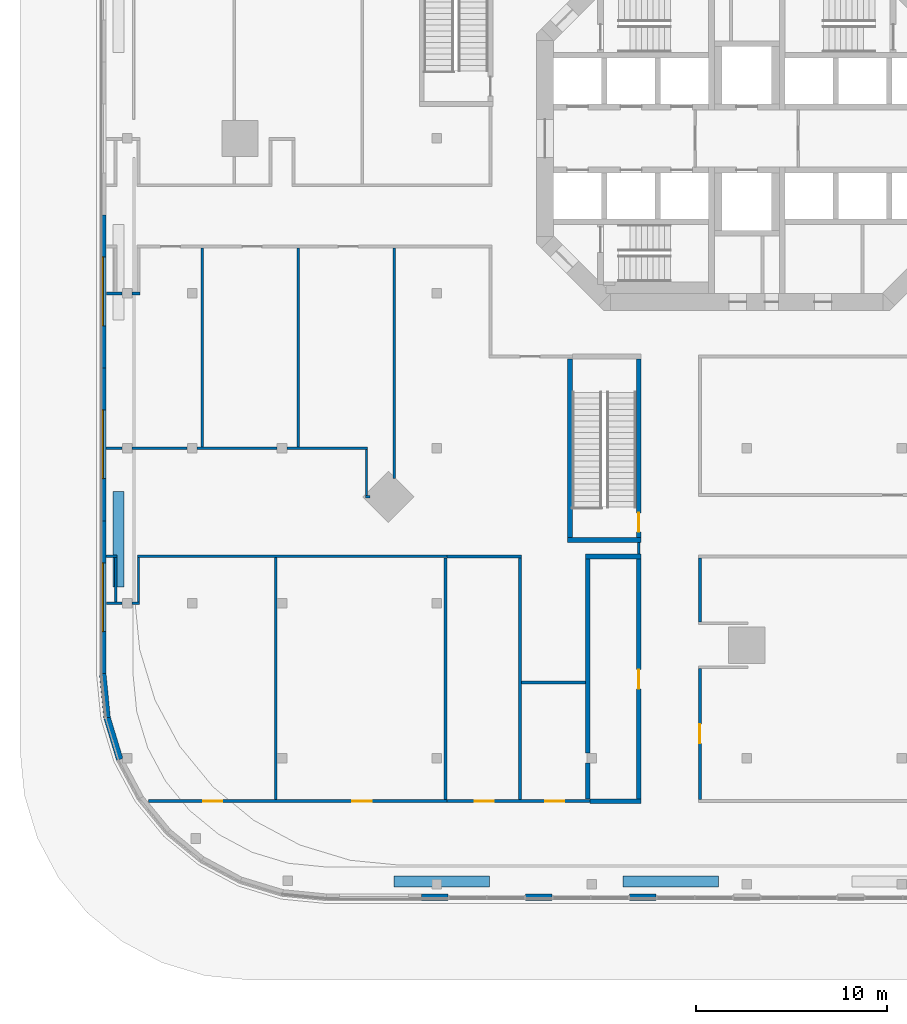
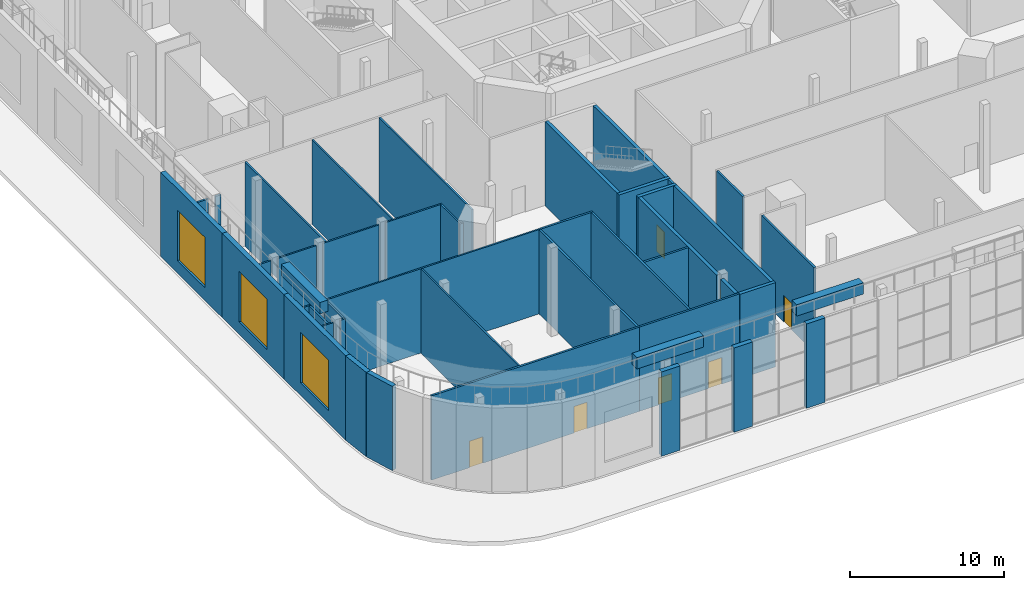
# One storey, part 6 of 21: 46 walls, 7 doors, 3 windows, 10 openings.
"""IFC4 building model written with IfcOpenShell, lengths in metres."""

from ifc_helpers import new_model, si_unit, direction, frame, frame_2d, origin, place, context, subcontext, project, spatial, rectangle, extrude, material, layer, layer_set, type_object, element, fill, save


model = new_model("IFC4")

# Units and contexts
model_context = context("Model", 3, precision=1e-05, world=origin(), true_north=direction((0.0, 1.0)))
body_context = subcontext(model_context, "Body", "Model", "MODEL_VIEW")
ifc_project = project(units=[si_unit("LENGTHUNIT", "METRE"), si_unit("AREAUNIT", "SQUARE_METRE"), si_unit("VOLUMEUNIT", "CUBIC_METRE"), si_unit("PLANEANGLEUNIT", "RADIAN"), si_unit("MASSUNIT", "GRAM", prefix="KILO")], contexts=[model_context])

# Site, building, storey
site_placement = place(None, origin())
site = spatial("IfcSite", under=ifc_project, at=site_placement, CompositionType="ELEMENT")
building_placement = place(site_placement, origin())
building = spatial("IfcBuilding", under=site, at=building_placement, Name="Torre Triforio", CompositionType="ELEMENT")
storey_placement = place(building_placement, frame((0.0, 0.0, 6.0)))
storey = spatial("IfcBuildingStorey", under=building, at=storey_placement, Name="L01", CompositionType="ELEMENT", Elevation=6.0)

# Walls
ifc_material_1 = material(Name="Plasterboard on metal studs")
ifc_layer_1 = layer(ifc_material_1, 0.14990234375)
ifc_layer_set_1 = layer_set([ifc_layer_1], Name="Plasterboard on metal studs")
wall_type_1 = type_object("IfcWallType", Name="Corridor wall 150 EI 60", PredefinedType="PARTITIONING", material=ifc_layer_set_1)
wall_1_placement = place(storey_placement, frame((-33.489990234375, -8.10009765625, 0.0), z_axis=(0.0, 0.0, 1.0), x_axis=(1.0, 0.0, 0.0)))
element("IfcWall", 1, at=wall_1_placement, inside=storey, type_object=wall_type_1, Name="Corridor wall L01 048", PredefinedType="PARTITIONING", context=body_context, shape_type="SweptSolid", body=[
    extrude(rectangle(XDim=0.830078125, YDim=0.14990234375, at=frame_2d((0.4150390625, 0.0))), origin(), (0.0, 0.0, 1.0), 6.679931640625),
])
wall_2_placement = place(storey_placement, frame((-32.139892578125, -8.10009765625, 0.0), z_axis=(0.0, 0.0, 1.0), x_axis=(1.0, 0.0, 0.0)))
element("IfcWall", 2, at=wall_2_placement, inside=storey, type_object=wall_type_1, Name="Corridor wall L01 049", PredefinedType="PARTITIONING", context=body_context, shape_type="SweptSolid", body=[
    extrude(rectangle(XDim=0.414794921875, YDim=0.14990234375, at=frame_2d((0.20751953125, 0.0))), origin(), (0.0, 0.0, 1.0), 6.679931640625),
])
wall_3_placement = place(storey_placement, frame((-5.64990234375, -21.72509765625, 0.0), z_axis=(0.0, 0.0, 1.0), x_axis=(0.0, 1.0, 0.0)))
element("IfcWall", 3, at=wall_3_placement, inside=storey, type_object=wall_type_1, Name="Corridor wall L01 063", PredefinedType="PARTITIONING", context=body_context, shape_type="SweptSolid", body=[
    extrude(rectangle(XDim=0.60009765625, YDim=0.14990234375, at=frame_2d((0.300048828125, 0.0))), origin(), (0.0, 0.0, 1.0), 6.679931640625),
])

# Wall, opening, door
wall_4_placement = place(storey_placement, frame((-2.449951171875, -34.574951171875, 0.0), z_axis=(0.0, 0.0, 1.0), x_axis=(0.0, 1.0, 0.0)))
wall_4 = element("IfcWall", 4, at=wall_4_placement, inside=storey, type_object=wall_type_1, Name="Corridor wall L01 176", PredefinedType="PARTITIONING", context=body_context, shape_type="SweptSolid", body=[
    extrude(rectangle(XDim=6.849853515625, YDim=0.14990234375, at=frame_2d((3.4248046875, 0.0))), origin(), (0.0, 0.0, 1.0), 6.679931640625),
])
opening_1_placement = place(wall_4_placement, frame((2.949951171875, 0.0, 0.0)))
opening_1 = element("IfcOpeningElement", 5, at=opening_1_placement, cuts=wall_4, Name="Opening P1-36", PredefinedType="OPENING", context=body_context, shape_type="SweptSolid", body=[
    extrude(rectangle(XDim=1.0, YDim=2.10009765625, at=frame_2d((0.5, 1.050048828125))), frame((0.0, 0.0849609375, 0.0), z_axis=(0.0, -1.0, 0.0), x_axis=(1.0, 0.0, 0.0)), (0.0, 0.0, 1.0), 0.169921875),
])
ifc_material_2 = material(Name="Timber door leaf", Category="wood")
door_type_1 = type_object("IfcDoorType", Name="Single door 1000 x 2100 EI 30", OperationType="NOTDEFINED", PredefinedType="DOOR", material=ifc_material_2)
door_1_placement = place(opening_1_placement, origin())
door_1 = element("IfcDoor", 6, at=door_1_placement, inside=storey, type_object=door_type_1, Name="Door P1-36", OperationType="SINGLE_SWING_LEFT", OverallHeight=2.10009765625, OverallWidth=1.0, PredefinedType="DOOR", context=body_context, shape_type="SweptSolid", body=[
    extrude(rectangle(XDim=1.0, YDim=2.10009765625, at=frame_2d((0.5, 1.050048828125))), frame((0.0, 0.02490234375, 0.0), z_axis=(0.0, -1.0, 0.0), x_axis=(1.0, 0.0, 0.0)), (0.0, 0.0, 1.0), 0.050048828125),
])
fill(opening_1, door_1)

# Wall
wall_5_placement = place(storey_placement, frame((-2.449951171875, -25.27490234375, 0.0), z_axis=(0.0, 0.0, 1.0), x_axis=(0.0, 1.0, 0.0)))
element("IfcWall", 7, at=wall_5_placement, inside=storey, type_object=wall_type_1, Name="Corridor wall L01 177", PredefinedType="PARTITIONING", context=body_context, shape_type="SweptSolid", body=[
    extrude(rectangle(XDim=3.349853515625, YDim=0.14990234375, at=frame_2d((1.6748046875, 0.0))), origin(), (0.0, 0.0, 1.0), 6.679931640625),
])

# Wall, openings, doors
wall_6_placement = place(storey_placement, frame((-31.279541015625, -34.64990234375, 0.0), z_axis=(0.0, 0.0, 1.0), x_axis=(1.0, 0.0, 0.0)))
wall_6 = element("IfcWall", 8, at=wall_6_placement, inside=storey, type_object=wall_type_1, Name="Corridor wall L01 226", PredefinedType="PARTITIONING", context=body_context, shape_type="SweptSolid", body=[
    extrude(rectangle(XDim=15.593505859375, YDim=0.14990234375, at=frame_2d((7.796875, 0.0))), origin(), (0.0, 0.0, 1.0), 6.679931640625),
])
opening_2_placement = place(wall_6_placement, frame((2.85009765625, 0.0, 0.0)))
opening_2 = element("IfcOpeningElement", 9, at=opening_2_placement, cuts=wall_6, Name="Opening P1-48", PredefinedType="OPENING", context=body_context, shape_type="SweptSolid", body=[
    extrude(rectangle(XDim=1.0, YDim=2.10009765625, at=frame_2d((0.5, 1.050048828125))), frame((0.0, 0.0849609375, 0.0), z_axis=(0.0, -1.0, 0.0), x_axis=(1.0, 0.0, 0.0)), (0.0, 0.0, 1.0), 0.169921875),
])
opening_3_placement = place(wall_6_placement, frame((10.658935546875, 0.0, 0.0)))
opening_3 = element("IfcOpeningElement", 10, at=opening_3_placement, cuts=wall_6, Name="Opening P1-49", PredefinedType="OPENING", context=body_context, shape_type="SweptSolid", body=[
    extrude(rectangle(XDim=1.0, YDim=2.10009765625, at=frame_2d((0.5, 1.050048828125))), frame((0.0, 0.0849609375, 0.0), z_axis=(0.0, -1.0, 0.0), x_axis=(1.0, 0.0, 0.0)), (0.0, 0.0, 1.0), 0.169921875),
])
door_2_placement = place(opening_2_placement, origin())
door_2 = element("IfcDoor", 11, at=door_2_placement, inside=storey, type_object=door_type_1, Name="Door P1-48", OperationType="SINGLE_SWING_LEFT", OverallHeight=2.10009765625, OverallWidth=1.0, PredefinedType="DOOR", context=body_context, shape_type="SweptSolid", body=[
    extrude(rectangle(XDim=1.0, YDim=2.10009765625, at=frame_2d((0.5, 1.050048828125))), frame((0.0, 0.02490234375, 0.0), z_axis=(0.0, -1.0, 0.0), x_axis=(1.0, 0.0, 0.0)), (0.0, 0.0, 1.0), 0.050048828125),
])
fill(opening_2, door_2)
door_3_placement = place(opening_3_placement, origin())
door_3 = element("IfcDoor", 12, at=door_3_placement, inside=storey, type_object=door_type_1, Name="Door P1-49", OperationType="SINGLE_SWING_LEFT", OverallHeight=2.10009765625, OverallWidth=1.0, PredefinedType="DOOR", context=body_context, shape_type="SweptSolid", body=[
    extrude(rectangle(XDim=1.0, YDim=2.10009765625, at=frame_2d((0.5, 1.050048828125))), frame((0.0, 0.02490234375, 0.0), z_axis=(0.0, -1.0, 0.0), x_axis=(1.0, 0.0, 0.0)), (0.0, 0.0, 1.0), 0.050048828125),
])
fill(opening_3, door_3)

# Walls
ifc_layer_2 = layer(ifc_material_1, 0.1201171875)
ifc_layer_set_2 = layer_set([ifc_layer_2], Name="Plasterboard on metal studs")
wall_type_2 = type_object("IfcWallType", Name="Partition 120", PredefinedType="PARTITIONING", material=ifc_layer_set_2)
wall_7_placement = place(storey_placement, frame((-28.47509765625, -16.139892578125, 0.0), z_axis=(0.0, 0.0, 1.0), x_axis=(0.0, 1.0, 0.0)))
element("IfcWall", 13, at=wall_7_placement, inside=storey, type_object=wall_type_2, Name="Partition L01 044", PredefinedType="PARTITIONING", context=body_context, shape_type="SweptSolid", body=[
    extrude(rectangle(XDim=10.414794921875, YDim=0.1201171875, at=frame_2d((5.20751953125, 0.0))), origin(), (0.0, 0.0, 1.0), 6.679931640625),
])
wall_8_placement = place(storey_placement, frame((-33.5, -16.199951171875, 0.0), z_axis=(0.0, 0.0, 1.0), x_axis=(1.0, 0.0, 0.0)))
element("IfcWall", 14, at=wall_8_placement, inside=storey, type_object=wall_type_2, Name="Partition L01 045", PredefinedType="PARTITIONING", context=body_context, shape_type="SweptSolid", body=[
    extrude(rectangle(XDim=0.840087890625, YDim=0.1201171875, at=frame_2d((0.419921875, 0.0))), origin(), (0.0, 0.0, 1.0), 6.679931640625),
])
wall_9_placement = place(storey_placement, frame((-32.139892578125, -16.199951171875, 0.0), z_axis=(0.0, 0.0, 1.0), x_axis=(1.0, 0.0, 0.0)))
element("IfcWall", 15, at=wall_9_placement, inside=storey, type_object=wall_type_2, Name="Partition L01 046", PredefinedType="PARTITIONING", context=body_context, shape_type="SweptSolid", body=[
    extrude(rectangle(XDim=2.8798828125, YDim=0.1201171875, at=frame_2d((1.43994140625, 0.0))), origin(), (0.0, 0.0, 1.0), 6.679931640625),
])
wall_10_placement = place(storey_placement, frame((-28.739990234375, -16.199951171875, 0.0), z_axis=(0.0, 0.0, 1.0), x_axis=(1.0, 0.0, 0.0)))
element("IfcWall", 16, at=wall_10_placement, inside=storey, type_object=wall_type_2, Name="Partition L01 047", PredefinedType="PARTITIONING", context=body_context, shape_type="SweptSolid", body=[
    extrude(rectangle(XDim=4.179931640625, YDim=0.1201171875, at=frame_2d((2.08984375, 0.0))), origin(), (0.0, 0.0, 1.0), 6.679931640625),
])
wall_11_placement = place(storey_placement, frame((-23.449951171875, -16.139892578125, 0.0), z_axis=(0.0, 0.0, 1.0), x_axis=(0.0, 1.0, 0.0)))
element("IfcWall", 17, at=wall_11_placement, inside=storey, type_object=wall_type_2, Name="Partition L01 054", PredefinedType="PARTITIONING", context=body_context, shape_type="SweptSolid", body=[
    extrude(rectangle(XDim=10.414794921875, YDim=0.1201171875, at=frame_2d((5.20751953125, 0.0))), origin(), (0.0, 0.0, 1.0), 6.679931640625),
])
wall_12_placement = place(storey_placement, frame((-24.0400390625, -16.199951171875, 0.0), z_axis=(0.0, 0.0, 1.0), x_axis=(1.0, 0.0, 0.0)))
element("IfcWall", 18, at=wall_12_placement, inside=storey, type_object=wall_type_2, Name="Partition L01 055", PredefinedType="PARTITIONING", context=body_context, shape_type="SweptSolid", body=[
    extrude(rectangle(XDim=4.211669921875, YDim=0.1201171875, at=frame_2d((2.10595703125, 0.0))), origin(), (0.0, 0.0, 1.0), 6.679931640625),
])
wall_13_placement = place(storey_placement, frame((-19.9482421875, -18.73828125, 0.0), z_axis=(0.0, 0.0, 1.0), x_axis=(1.0, 0.0, 0.0)))
element("IfcWall", 19, at=wall_13_placement, inside=storey, type_object=wall_type_2, Name="Partition L01 056", PredefinedType="PARTITIONING", context=body_context, shape_type="SweptSolid", body=[
    extrude(rectangle(XDim=0.25, YDim=0.1201171875, at=frame_2d((0.125, 0.0))), origin(), (0.0, 0.0, 1.0), 6.679931640625),
])
wall_14_placement = place(storey_placement, frame((-19.88818359375, -18.67822265625, 0.0), z_axis=(0.0, 0.0, 1.0), x_axis=(0.0, 1.0, 0.0)))
element("IfcWall", 20, at=wall_14_placement, inside=storey, type_object=wall_type_2, Name="Partition L01 057", PredefinedType="PARTITIONING", context=body_context, shape_type="SweptSolid", body=[
    extrude(rectangle(XDim=2.418212890625, YDim=0.1201171875, at=frame_2d((1.208984375, 0.0))), origin(), (0.0, 0.0, 1.0), 6.679931640625),
])
wall_15_placement = place(storey_placement, frame((-18.425048828125, -17.7783203125, 0.0), z_axis=(0.0, 0.0, 1.0), x_axis=(0.0, 1.0, 0.0)))
element("IfcWall", 21, at=wall_15_placement, inside=storey, type_object=wall_type_2, Name="Partition L01 058", PredefinedType="PARTITIONING", context=body_context, shape_type="SweptSolid", body=[
    extrude(rectangle(XDim=12.05322265625, YDim=0.1201171875, at=frame_2d((6.026611328125, 0.0))), origin(), (0.0, 0.0, 1.0), 6.679931640625),
])
wall_16_placement = place(storey_placement, frame((-33.489990234375, -24.300048828125, 0.0), z_axis=(0.0, 0.0, 1.0), x_axis=(1.0, 0.0, 0.0)))
element("IfcWall", 22, at=wall_16_placement, inside=storey, type_object=wall_type_2, Name="Partition L01 067", PredefinedType="PARTITIONING", context=body_context, shape_type="SweptSolid", body=[
    extrude(rectangle(XDim=0.830078125, YDim=0.1201171875, at=frame_2d((0.4150390625, 0.0))), origin(), (0.0, 0.0, 1.0), 6.679931640625),
])
wall_17_placement = place(storey_placement, frame((-32.139892578125, -24.300048828125, 0.0), z_axis=(0.0, 0.0, 1.0), x_axis=(1.0, 0.0, 0.0)))
element("IfcWall", 23, at=wall_17_placement, inside=storey, type_object=wall_type_2, Name="Partition L01 068", PredefinedType="PARTITIONING", context=body_context, shape_type="SweptSolid", body=[
    extrude(rectangle(XDim=0.39990234375, YDim=0.1201171875, at=frame_2d((0.199951171875, 0.0))), origin(), (0.0, 0.0, 1.0), 6.679931640625),
])
wall_18_placement = place(storey_placement, frame((-33.5, -21.85009765625, 0.0), z_axis=(0.0, 0.0, 1.0), x_axis=(1.0, 0.0, 0.0)))
element("IfcWall", 24, at=wall_18_placement, inside=storey, type_object=wall_type_2, Name="Partition L01 069", PredefinedType="PARTITIONING", context=body_context, shape_type="SweptSolid", body=[
    extrude(rectangle(XDim=0.56005859375, YDim=0.1201171875, at=frame_2d((0.280029296875, 0.0))), origin(), (0.0, 0.0, 1.0), 6.679931640625),
])
wall_19_placement = place(storey_placement, frame((-31.860107421875, -21.85009765625, 0.0), z_axis=(0.0, 0.0, 1.0), x_axis=(1.0, 0.0, 0.0)))
element("IfcWall", 25, at=wall_19_placement, inside=storey, type_object=wall_type_2, Name="Partition L01 070", PredefinedType="PARTITIONING", context=body_context, shape_type="SweptSolid", body=[
    extrude(rectangle(XDim=16.174072265625, YDim=0.1201171875, at=frame_2d((8.0869140625, 0.0))), origin(), (0.0, 0.0, 1.0), 6.679931640625),
])
for number, where, z_axis, x_axis, name in (
    (26, (-33.0, -24.239990234375, 0.0), (0.0, 0.0, 1.0), (0.0, 1.0, 0.0), "Partition L01 071"),
    (27, (-31.800048828125, -24.239990234375, 0.0), (0.0, 0.0, 1.0), (0.0, 1.0, 0.0), "Partition L01 072"),
):
    element("IfcWall", number, at=place(storey_placement, frame(where, z_axis=z_axis, x_axis=x_axis)), inside=storey, type_object=wall_type_2, Name=name, PredefinedType="PARTITIONING", context=body_context, shape_type="SweptSolid", body=[
        extrude(rectangle(XDim=2.330078125, YDim=0.1201171875, at=frame_2d((1.1650390625, 0.0))), origin(), (0.0, 0.0, 1.0), 6.679931640625),
    ])
wall_20_placement = place(storey_placement, frame((-24.630615234375, -34.574951171875, 0.0), z_axis=(0.0, 0.0, 1.0), x_axis=(0.0, 1.0, 0.0)))
element("IfcWall", 28, at=wall_20_placement, inside=storey, type_object=wall_type_2, Name="Partition L01 267", PredefinedType="PARTITIONING", context=body_context, shape_type="SweptSolid", body=[
    extrude(rectangle(XDim=12.6650390625, YDim=0.1201171875, at=frame_2d((6.33251953125, 0.0))), origin(), (0.0, 0.0, 1.0), 6.679931640625),
])
ifc_material_3 = material(Name="Masonry block", Category="masonry")
ifc_layer_3 = layer(ifc_material_3, 0.25)
ifc_layer_set_3 = layer_set([ifc_layer_3], Name="Masonry block")
wall_type_3 = type_object("IfcWallType", Name="Plant room wall 250 EI 120", PredefinedType="PARTITIONING", material=ifc_layer_set_3)
wall_21_placement = place(storey_placement, frame((-8.435791015625, -21.85009765625, 0.0), z_axis=(0.0, 0.0, 1.0), x_axis=(1.0, 0.0, 0.0)))
element("IfcWall", 29, at=wall_21_placement, inside=storey, type_object=wall_type_3, Name="Plant room wall L01 065", PredefinedType="PARTITIONING", context=body_context, shape_type="SweptSolid", body=[
    extrude(rectangle(XDim=2.910888671875, YDim=0.25, at=frame_2d((1.45556640625, 0.0))), origin(), (0.0, 0.0, 1.0), 6.679931640625),
])

# Wall, opening, door
wall_22_placement = place(storey_placement, frame((-5.64990234375, -34.52490234375, 0.0), z_axis=(0.0, 0.0, 1.0), x_axis=(0.0, 1.0, 0.0)))
wall_22 = element("IfcWall", 30, at=wall_22_placement, inside=storey, type_object=wall_type_3, Name="Plant room wall L01 223", PredefinedType="PARTITIONING", context=body_context, shape_type="SweptSolid", body=[
    extrude(rectangle(XDim=12.5498046875, YDim=0.25, at=frame_2d((6.27490234375, 0.0))), origin(), (0.0, 0.0, 1.0), 6.679931640625),
])
opening_4_placement = place(wall_22_placement, frame((5.75, 0.0, 0.0)))
opening_4 = element("IfcOpeningElement", 31, at=opening_4_placement, cuts=wall_22, Name="Opening P1-52", PredefinedType="OPENING", context=body_context, shape_type="SweptSolid", body=[
    extrude(rectangle(XDim=1.0, YDim=2.10009765625, at=frame_2d((0.5, 1.050048828125))), frame((0.0, 0.135009765625, 0.0), z_axis=(0.0, -1.0, 0.0), x_axis=(1.0, 0.0, 0.0)), (0.0, 0.0, 1.0), 0.27001953125),
])
ifc_material_4 = material(Name="Hollow metal fire door leaf")
door_type_2 = type_object("IfcDoorType", Name="Fire door 1000 x 2100 EI 60", OperationType="NOTDEFINED", PredefinedType="DOOR", material=ifc_material_4)
door_4_placement = place(opening_4_placement, origin())
door_4 = element("IfcDoor", 32, at=door_4_placement, inside=storey, type_object=door_type_2, Name="Door P1-52", OperationType="SINGLE_SWING_LEFT", OverallHeight=2.10009765625, OverallWidth=1.0, PredefinedType="DOOR", context=body_context, shape_type="SweptSolid", body=[
    extrude(rectangle(XDim=1.0, YDim=2.10009765625, at=frame_2d((0.5, 1.050048828125))), frame((0.0, 0.02490234375, 0.0), z_axis=(0.0, -1.0, 0.0), x_axis=(1.0, 0.0, 0.0)), (0.0, 0.0, 1.0), 0.050048828125),
])
fill(opening_4, door_4)

# Walls
wall_23_placement = place(storey_placement, frame((-8.185791015625, -34.64990234375, 0.0), z_axis=(0.0, 0.0, 1.0), x_axis=(1.0, 0.0, 0.0)))
element("IfcWall", 33, at=wall_23_placement, inside=storey, type_object=wall_type_3, Name="Plant room wall L01 224", PredefinedType="PARTITIONING", context=body_context, shape_type="SweptSolid", body=[
    extrude(rectangle(XDim=2.660888671875, YDim=0.25, at=frame_2d((1.33056640625, 0.0))), origin(), (0.0, 0.0, 1.0), 6.679931640625),
])
wall_24_placement = place(storey_placement, frame((-8.310791015625, -34.52490234375, 0.0), z_axis=(0.0, 0.0, 1.0), x_axis=(0.0, 1.0, 0.0)))
element("IfcWall", 34, at=wall_24_placement, inside=storey, type_object=wall_type_3, Name="Plant room wall L01 230", PredefinedType="PARTITIONING", context=body_context, shape_type="SweptSolid", body=[
    extrude(rectangle(XDim=1.864990234375, YDim=0.25, at=frame_2d((0.9326171875, 0.0))), origin(), (0.0, 0.0, 1.0), 6.679931640625),
])
wall_25_placement = place(storey_placement, frame((-8.310791015625, -32.139892578125, 0.0), z_axis=(0.0, 0.0, 1.0), x_axis=(0.0, 1.0, 0.0)))
element("IfcWall", 35, at=wall_25_placement, inside=storey, type_object=wall_type_3, Name="Plant room wall L01 231", PredefinedType="PARTITIONING", context=body_context, shape_type="SweptSolid", body=[
    extrude(rectangle(XDim=10.164794921875, YDim=0.25, at=frame_2d((5.08251953125, 0.0))), origin(), (0.0, 0.0, 1.0), 6.679931640625),
])
ifc_material_5 = material(Name="Concrete C40", Category="concrete")
ifc_layer_4 = layer(ifc_material_5, 0.25)
ifc_layer_set_4 = layer_set([ifc_layer_4], Name="Concrete C40")
wall_type_4 = type_object("IfcWallType", Name="Stair enclosure wall 250 EI 120", PredefinedType="STANDARD", material=ifc_layer_set_4)
wall_26_placement = place(storey_placement, frame((-9.375, -21.0, 0.0), z_axis=(0.0, 0.0, 1.0), x_axis=(1.0, 0.0, 0.0)))
element("IfcWall", 36, at=wall_26_placement, inside=storey, type_object=wall_type_4, Name="Stair enclosure wall L01 059", PredefinedType="STANDARD", context=body_context, shape_type="SweptSolid", body=[
    extrude(rectangle(XDim=3.85009765625, YDim=0.25, at=frame_2d((1.925048828125, 0.0))), origin(), (0.0, 0.0, 1.0), 6.679931640625),
])
wall_27_placement = place(storey_placement, frame((-9.25, -20.875, 0.0), z_axis=(0.0, 0.0, 1.0), x_axis=(0.0, 1.0, 0.0)))
element("IfcWall", 37, at=wall_27_placement, inside=storey, type_object=wall_type_4, Name="Stair enclosure wall L01 060", PredefinedType="STANDARD", context=body_context, shape_type="SweptSolid", body=[
    extrude(rectangle(XDim=9.35009765625, YDim=0.25, at=frame_2d((4.675048828125, 0.0))), origin(), (0.0, 0.0, 1.0), 6.679931640625),
])

# Wall, opening, door
wall_28_placement = place(storey_placement, frame((-5.64990234375, -20.875, 0.0), z_axis=(0.0, 0.0, 1.0), x_axis=(0.0, 1.0, 0.0)))
wall_28 = element("IfcWall", 38, at=wall_28_placement, inside=storey, type_object=wall_type_4, Name="Stair enclosure wall L01 200", PredefinedType="STANDARD", context=body_context, shape_type="SweptSolid", body=[
    extrude(rectangle(XDim=9.35009765625, YDim=0.25, at=frame_2d((4.675048828125, 0.0))), origin(), (0.0, 0.0, 1.0), 6.679931640625),
])
opening_5_placement = place(wall_28_placement, frame((0.300048828125, 0.0, 0.0)))
opening_5 = element("IfcOpeningElement", 39, at=opening_5_placement, cuts=wall_28, Name="Opening P1-03", PredefinedType="OPENING", context=body_context, shape_type="SweptSolid", body=[
    extrude(rectangle(XDim=1.0, YDim=2.10009765625, at=frame_2d((0.5, 1.050048828125))), frame((0.0, 0.135009765625, 0.0), z_axis=(0.0, -1.0, 0.0), x_axis=(1.0, 0.0, 0.0)), (0.0, 0.0, 1.0), 0.27001953125),
])
door_type_3 = type_object("IfcDoorType", Name="Stair door 1000 x 2100 EI 90", OperationType="NOTDEFINED", PredefinedType="DOOR", material=ifc_material_4)
door_5_placement = place(opening_5_placement, origin())
door_5 = element("IfcDoor", 40, at=door_5_placement, inside=storey, type_object=door_type_3, Name="Door P1-03", OperationType="SINGLE_SWING_LEFT", OverallHeight=2.10009765625, OverallWidth=1.0, PredefinedType="DOOR", context=body_context, shape_type="SweptSolid", body=[
    extrude(rectangle(XDim=1.0, YDim=2.10009765625, at=frame_2d((0.5, 1.050048828125))), frame((0.0, 0.02490234375, 0.0), z_axis=(0.0, -1.0, 0.0), x_axis=(1.0, 0.0, 0.0)), (0.0, 0.0, 1.0), 0.050048828125),
])
fill(opening_5, door_5)

# Wall, opening, window
ifc_material_6 = material(Name="Limestone cladding", Category="masonry")
ifc_layer_5 = layer(ifc_material_6, 0.10009765625)
ifc_layer_6 = layer(ifc_material_5, 0.25)
ifc_layer_set_5 = layer_set([ifc_layer_5, ifc_layer_6], Name="Limestone cladding / Concrete C40")
wall_type_5 = type_object("IfcWallType", Name="Stone-clad podium wall 350", PredefinedType="STANDARD", material=ifc_layer_set_5)
wall_29_placement = place(storey_placement, frame((-33.675048828125, -3.997802734375, 0.0), z_axis=(0.0, 0.0, 1.0), x_axis=(0.0, -1.0, 0.0)))
wall_29 = element("IfcWall", 41, at=wall_29_placement, inside=storey, type_object=wall_type_5, Name="External wall L01 e26.0.w4", PredefinedType="STANDARD", context=body_context, shape_type="SweptSolid", body=[
    extrude(rectangle(XDim=7.995361328125, YDim=0.35009765625, at=frame_2d((3.99755859375, 0.0))), origin(), (0.0, 0.0, 1.0), 6.679931640625),
])
opening_6_placement = place(wall_29_placement, frame((2.19775390625, 0.0, 1.0)))
opening_6 = element("IfcOpeningElement", 42, at=opening_6_placement, cuts=wall_29, Name="Opening P1-W18", PredefinedType="OPENING", context=body_context, shape_type="SweptSolid", body=[
    extrude(rectangle(XDim=3.60009765625, YDim=4.0, at=frame_2d((1.800048828125, 2.0))), frame((0.0, 0.18505859375, 0.0), z_axis=(0.0, -1.0, 0.0), x_axis=(1.0, 0.0, 0.0)), (0.0, 0.0, 1.0), 0.3701171875),
])
ifc_material_7 = material(Name="Aluminium frame with clear double glazing", Category="aluminium")
window_type = type_object("IfcWindowType", Name="Podium window 3600 x 4000", PartitioningType="DOUBLE_PANEL_VERTICAL", PredefinedType="WINDOW", material=ifc_material_7)
window_1_placement = place(opening_6_placement, origin())
window_1 = element("IfcWindow", 43, at=window_1_placement, inside=storey, type_object=window_type, Name="Window L01 e26.0.w4", OverallHeight=4.0, OverallWidth=3.60009765625, PartitioningType="SINGLE_PANEL", PredefinedType="WINDOW", context=body_context, shape_type="SweptSolid", body=[
    extrude(rectangle(XDim=3.60009765625, YDim=4.0, at=frame_2d((1.800048828125, 2.0))), frame((0.0, 0.030029296875, 0.0), z_axis=(0.0, -1.0, 0.0), x_axis=(1.0, 0.0, 0.0)), (0.0, 0.0, 1.0), 0.06005859375),
])
fill(opening_6, window_1)

wall_30_placement = place(storey_placement, frame((-33.675048828125, -11.9931640625, 0.0), z_axis=(0.0, 0.0, 1.0), x_axis=(0.0, -1.0, 0.0)))
wall_30 = element("IfcWall", 44, at=wall_30_placement, inside=storey, type_object=wall_type_5, Name="External wall L01 e26.0.w5", PredefinedType="STANDARD", context=body_context, shape_type="SweptSolid", body=[
    extrude(rectangle(XDim=7.995361328125, YDim=0.35009765625, at=frame_2d((3.99755859375, 0.0))), origin(), (0.0, 0.0, 1.0), 6.679931640625),
])
opening_7_placement = place(wall_30_placement, frame((2.19775390625, 0.0, 1.0)))
opening_7 = element("IfcOpeningElement", 45, at=opening_7_placement, cuts=wall_30, Name="Opening P1-W19", PredefinedType="OPENING", context=body_context, shape_type="SweptSolid", body=[
    extrude(rectangle(XDim=3.60009765625, YDim=4.0, at=frame_2d((1.800048828125, 2.0))), frame((0.0, 0.18505859375, 0.0), z_axis=(0.0, -1.0, 0.0), x_axis=(1.0, 0.0, 0.0)), (0.0, 0.0, 1.0), 0.3701171875),
])
window_2_placement = place(opening_7_placement, origin())
window_2 = element("IfcWindow", 46, at=window_2_placement, inside=storey, type_object=window_type, Name="Window L01 e26.0.w5", OverallHeight=4.0, OverallWidth=3.60009765625, PartitioningType="SINGLE_PANEL", PredefinedType="WINDOW", context=body_context, shape_type="SweptSolid", body=[
    extrude(rectangle(XDim=3.60009765625, YDim=4.0, at=frame_2d((1.800048828125, 2.0))), frame((0.0, 0.030029296875, 0.0), z_axis=(0.0, -1.0, 0.0), x_axis=(1.0, 0.0, 0.0)), (0.0, 0.0, 1.0), 0.06005859375),
])
fill(opening_7, window_2)

wall_31_placement = place(storey_placement, frame((-33.675048828125, -19.988525390625, 0.0), z_axis=(0.0, 0.0, 1.0), x_axis=(0.0, -1.0, 0.0)))
wall_31 = element("IfcWall", 47, at=wall_31_placement, inside=storey, type_object=wall_type_5, Name="External wall L01 e26.0.w6", PredefinedType="STANDARD", context=body_context, shape_type="SweptSolid", body=[
    extrude(rectangle(XDim=7.995361328125, YDim=0.35009765625, at=frame_2d((3.99755859375, 0.0))), origin(), (0.0, 0.0, 1.0), 6.679931640625),
])
opening_8_placement = place(wall_31_placement, frame((2.19775390625, 0.0, 1.0)))
opening_8 = element("IfcOpeningElement", 48, at=opening_8_placement, cuts=wall_31, Name="Opening P1-W20", PredefinedType="OPENING", context=body_context, shape_type="SweptSolid", body=[
    extrude(rectangle(XDim=3.60009765625, YDim=4.0, at=frame_2d((1.800048828125, 2.0))), frame((0.0, 0.18505859375, 0.0), z_axis=(0.0, -1.0, 0.0), x_axis=(1.0, 0.0, 0.0)), (0.0, 0.0, 1.0), 0.3701171875),
])
window_3_placement = place(opening_8_placement, origin())
window_3 = element("IfcWindow", 49, at=window_3_placement, inside=storey, type_object=window_type, Name="Window L01 e26.0.w6", OverallHeight=4.0, OverallWidth=3.60009765625, PartitioningType="SINGLE_PANEL", PredefinedType="WINDOW", context=body_context, shape_type="SweptSolid", body=[
    extrude(rectangle(XDim=3.60009765625, YDim=4.0, at=frame_2d((1.800048828125, 2.0))), frame((0.0, 0.030029296875, 0.0), z_axis=(0.0, -1.0, 0.0), x_axis=(1.0, 0.0, 0.0)), (0.0, 0.0, 1.0), 0.06005859375),
])
fill(opening_8, window_3)

# Walls
wall_32_placement = place(storey_placement, frame((-33.675048828125, -27.98388671875, 0.0), z_axis=(0.0, 0.0, 1.0), x_axis=(0.097993192849, -0.995187085002, 0.0)))
element("IfcWall", 50, at=wall_32_placement, inside=storey, type_object=wall_type_5, Name="External wall L01 e27.0.w0", PredefinedType="STANDARD", context=body_context, shape_type="SweptSolid", body=[
    extrude(rectangle(XDim=2.304443359375, YDim=0.35009765625, at=frame_2d((1.15234375, 0.0))), origin(), (0.0, 0.0, 1.0), 6.679931640625),
])
wall_33_placement = place(storey_placement, frame((-33.44921875, -30.27734375, 0.0), z_axis=(0.0, 0.0, 1.0), x_axis=(0.29028274763, -0.956940921075, 0.0)))
element("IfcWall", 51, at=wall_33_placement, inside=storey, type_object=wall_type_5, Name="External wall L01 e28.0.w0", PredefinedType="STANDARD", context=body_context, shape_type="SweptSolid", body=[
    extrude(rectangle(XDim=2.28857421875, YDim=0.35009765625, at=frame_2d((1.144287109375, 0.0))), origin(), (0.0, 0.0, 1.0), 6.679931640625),
])
wall_34_placement = place(storey_placement, frame((-17.0, -39.675048828125, 0.0), z_axis=(0.0, 0.0, 1.0), x_axis=(1.0, 0.0, 0.0)))
element("IfcWall", 52, at=wall_34_placement, inside=storey, type_object=wall_type_5, Name="External wall L01 e35.0.1.g0", PredefinedType="STANDARD", context=body_context, shape_type="SweptSolid", body=[
    extrude(rectangle(XDim=1.3857421875, YDim=0.35009765625, at=frame_2d((0.69287109375, 0.0))), origin(), (0.0, 0.0, 1.0), 6.679931640625),
])
wall_35_placement = place(storey_placement, frame((-11.564208984375, -39.675048828125, 0.0), z_axis=(0.0, 0.0, 1.0), x_axis=(1.0, 0.0, 0.0)))
element("IfcWall", 53, at=wall_35_placement, inside=storey, type_object=wall_type_5, Name="External wall L01 e35.0.1.g1", PredefinedType="STANDARD", context=body_context, shape_type="SweptSolid", body=[
    extrude(rectangle(XDim=1.385498046875, YDim=0.35009765625, at=frame_2d((0.69287109375, 0.0))), origin(), (0.0, 0.0, 1.0), 6.679931640625),
])
wall_36_placement = place(storey_placement, frame((-6.128662109375, -39.675048828125, 0.0), z_axis=(0.0, 0.0, 1.0), x_axis=(1.0, 0.0, 0.0)))
element("IfcWall", 54, at=wall_36_placement, inside=storey, type_object=wall_type_5, Name="External wall L01 e35.0.1.g2", PredefinedType="STANDARD", context=body_context, shape_type="SweptSolid", body=[
    extrude(rectangle(XDim=1.3857421875, YDim=0.35009765625, at=frame_2d((0.69287109375, 0.0))), origin(), (0.0, 0.0, 1.0), 6.679931640625),
])
ifc_layer_7 = layer(ifc_material_6, 0.10009765625)
ifc_layer_8 = layer(ifc_material_5, 0.5)
ifc_layer_set_6 = layer_set([ifc_layer_7, ifc_layer_8], Name="Limestone cladding / Concrete C40")
wall_type_6 = type_object("IfcWallType", Name="Terrace planter wall 600", PredefinedType="PARAPET", material=ifc_layer_set_6)
for number, where, z_axis, x_axis, name in (
    (55, (-32.85009765625, -18.45751953125, 7.0), (0.0, 0.0, 1.0), (0.0, -1.0, 0.0), "Terrace T2 planter 27.4"),
    (56, (-18.452880859375, -38.85009765625, 7.0), (0.0, 0.0, 1.0), (1.0, 0.0, 0.0), "Terrace T2 planter 36.1"),
    (57, (-6.4716796875, -38.85009765625, 7.0), (0.0, 0.0, 1.0), (1.0, 0.0, 0.0), "Terrace T2 planter 36.2"),
):
    element("IfcWall", number, at=place(storey_placement, frame(where, z_axis=z_axis, x_axis=x_axis)), inside=storey, type_object=wall_type_6, Name=name, PredefinedType="PARAPET", context=body_context, shape_type="SweptSolid", body=[
        extrude(rectangle(XDim=5.0, YDim=0.60009765625, at=frame_2d((2.5, 0.0))), origin(), (0.0, 0.0, 1.0), 0.89990234375),
    ])
ifc_layer_9 = layer(ifc_material_1, 0.14990234375)
ifc_layer_set_7 = layer_set([ifc_layer_9], Name="Plasterboard on metal studs")
wall_type_7 = type_object("IfcWallType", Name="Wet room wall 150", PredefinedType="PARTITIONING", material=ifc_layer_set_7)
wall_37_placement = place(storey_placement, frame((-11.78369140625, -28.448974609375, 0.0), z_axis=(0.0, 0.0, 1.0), x_axis=(1.0, 0.0, 0.0)))
element("IfcWall", 58, at=wall_37_placement, inside=storey, type_object=wall_type_7, Name="Wet room wall L01 064", PredefinedType="PARTITIONING", context=body_context, shape_type="SweptSolid", body=[
    extrude(rectangle(XDim=3.347900390625, YDim=0.14990234375, at=frame_2d((1.673828125, 0.0))), origin(), (0.0, 0.0, 1.0), 6.679931640625),
])
wall_38_placement = place(storey_placement, frame((-15.68603515625, -21.85009765625, 0.0), z_axis=(0.0, 0.0, 1.0), x_axis=(1.0, 0.0, 0.0)))
element("IfcWall", 59, at=wall_38_placement, inside=storey, type_object=wall_type_7, Name="Wet room wall L01 066", PredefinedType="PARTITIONING", context=body_context, shape_type="SweptSolid", body=[
    extrude(rectangle(XDim=3.90234375, YDim=0.14990234375, at=frame_2d((1.951171875, 0.0))), origin(), (0.0, 0.0, 1.0), 6.679931640625),
])

# Wall, openings, doors
wall_39_placement = place(storey_placement, frame((-15.68603515625, -34.64990234375, 0.0), z_axis=(0.0, 0.0, 1.0), x_axis=(1.0, 0.0, 0.0)))
wall_39 = element("IfcWall", 60, at=wall_39_placement, inside=storey, type_object=wall_type_7, Name="Wet room wall L01 225", PredefinedType="PARTITIONING", context=body_context, shape_type="SweptSolid", body=[
    extrude(rectangle(XDim=7.500244140625, YDim=0.14990234375, at=frame_2d((3.75, 0.0))), origin(), (0.0, 0.0, 1.0), 6.679931640625),
])
opening_9_placement = place(wall_39_placement, frame((1.449951171875, 0.0, 0.0)))
opening_9 = element("IfcOpeningElement", 61, at=opening_9_placement, cuts=wall_39, Name="Opening P1-50", PredefinedType="OPENING", context=body_context, shape_type="SweptSolid", body=[
    extrude(rectangle(XDim=1.0, YDim=2.10009765625, at=frame_2d((0.5, 1.050048828125))), frame((0.0, 0.0849609375, 0.0), z_axis=(0.0, -1.0, 0.0), x_axis=(1.0, 0.0, 0.0)), (0.0, 0.0, 1.0), 0.169921875),
])
opening_10_placement = place(wall_39_placement, frame((5.152587890625, 0.0, 0.0)))
opening_10 = element("IfcOpeningElement", 62, at=opening_10_placement, cuts=wall_39, Name="Opening P1-51", PredefinedType="OPENING", context=body_context, shape_type="SweptSolid", body=[
    extrude(rectangle(XDim=1.0, YDim=2.10009765625, at=frame_2d((0.5, 1.050048828125))), frame((0.0, 0.0849609375, 0.0), z_axis=(0.0, -1.0, 0.0), x_axis=(1.0, 0.0, 0.0)), (0.0, 0.0, 1.0), 0.169921875),
])
door_type_4 = type_object("IfcDoorType", Name="Single door 1000 x 2100", OperationType="NOTDEFINED", PredefinedType="DOOR", material=ifc_material_2)
door_6_placement = place(opening_9_placement, origin())
door_6 = element("IfcDoor", 63, at=door_6_placement, inside=storey, type_object=door_type_4, Name="Door P1-50", OperationType="SINGLE_SWING_LEFT", OverallHeight=2.10009765625, OverallWidth=1.0, PredefinedType="DOOR", context=body_context, shape_type="SweptSolid", body=[
    extrude(rectangle(XDim=1.0, YDim=2.10009765625, at=frame_2d((0.5, 1.050048828125))), frame((0.0, 0.02490234375, 0.0), z_axis=(0.0, -1.0, 0.0), x_axis=(1.0, 0.0, 0.0)), (0.0, 0.0, 1.0), 0.050048828125),
])
fill(opening_9, door_6)
door_7_placement = place(opening_10_placement, origin())
door_7 = element("IfcDoor", 64, at=door_7_placement, inside=storey, type_object=door_type_4, Name="Door P1-51", OperationType="SINGLE_SWING_LEFT", OverallHeight=2.10009765625, OverallWidth=1.0, PredefinedType="DOOR", context=body_context, shape_type="SweptSolid", body=[
    extrude(rectangle(XDim=1.0, YDim=2.10009765625, at=frame_2d((0.5, 1.050048828125))), frame((0.0, 0.02490234375, 0.0), z_axis=(0.0, -1.0, 0.0), x_axis=(1.0, 0.0, 0.0)), (0.0, 0.0, 1.0), 0.050048828125),
])
fill(opening_10, door_7)

# Walls
for number, where, z_axis, x_axis, name in (
    (65, (-11.858642578125, -34.574951171875, 0.0), (0.0, 0.0, 1.0), (0.0, 1.0, 0.0), "Wet room wall L01 232"),
    (66, (-15.760986328125, -34.574951171875, 0.0), (0.0, 0.0, 1.0), (0.0, 1.0, 0.0), "Wet room wall L01 236"),
):
    element("IfcWall", number, at=place(storey_placement, frame(where, z_axis=z_axis, x_axis=x_axis)), inside=storey, type_object=wall_type_7, Name=name, PredefinedType="PARTITIONING", context=body_context, shape_type="SweptSolid", body=[
        extrude(rectangle(XDim=12.64990234375, YDim=0.14990234375, at=frame_2d((6.324951171875, 0.0))), origin(), (0.0, 0.0, 1.0), 6.679931640625),
    ])

save(model, "model.ifc")
